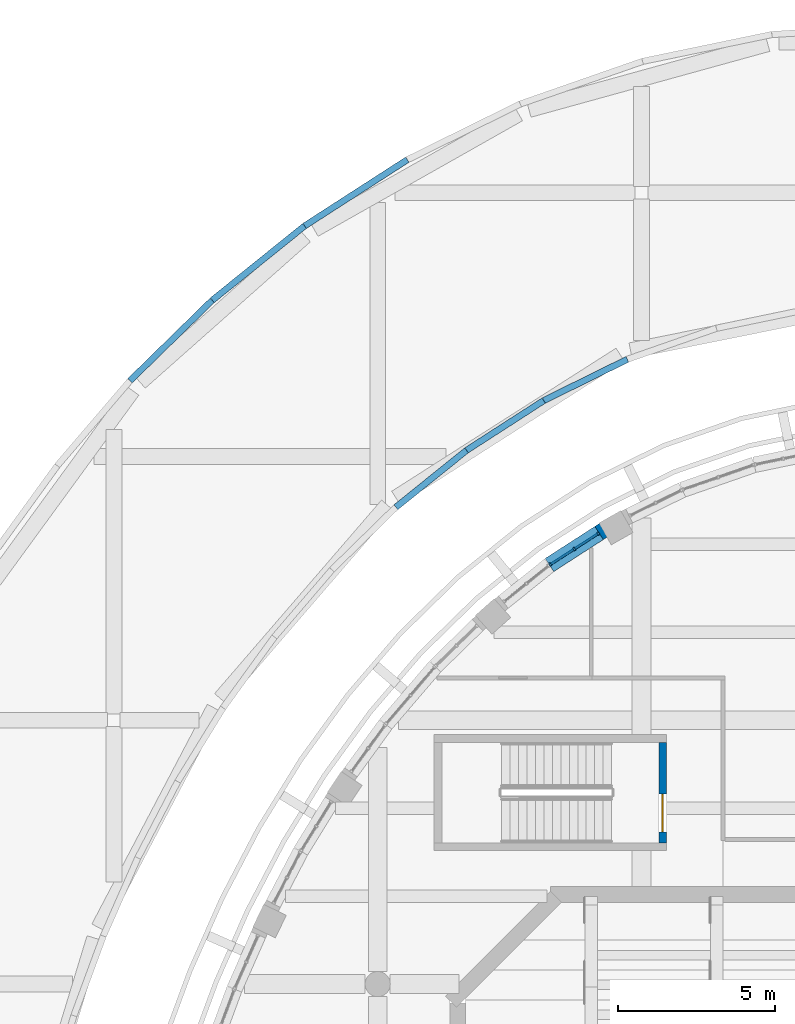
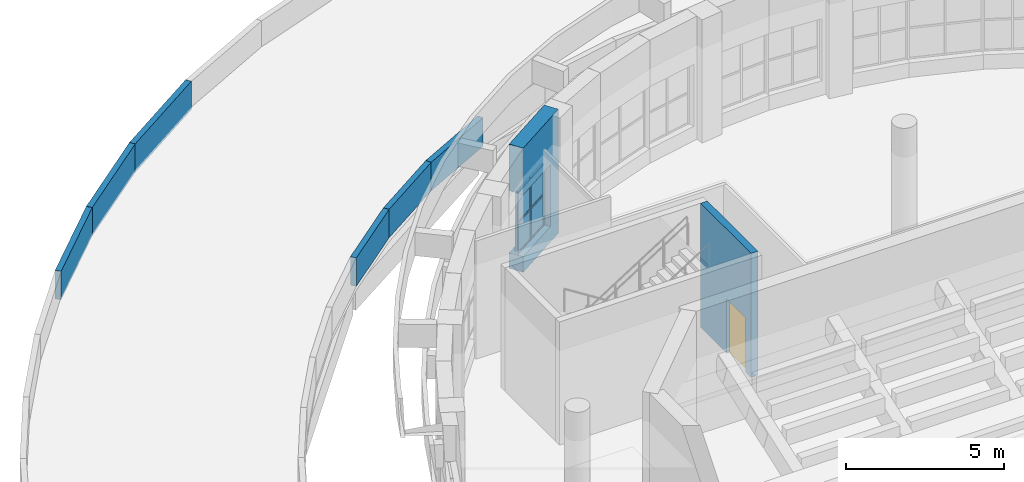
# One storey, part 31 of 79: 9 members, 8 walls, 4 plates, 1 door, 2 openings, 1 element without a shape of its own.
"""IFC4 building model written with IfcOpenShell, lengths in metres."""

from ifc_helpers import new_model, si_unit, direction, frame, frame_2d, origin, origin_2d, place, context, subcontext, project, spatial, rectangle, extrude, material, layer, layer_set, material_profile, profile_set, type_object, element, fill, aggregate, save


model = new_model("IFC4")

# Units and contexts
model_context = context("Model", 3, precision=1e-05, world=origin(), true_north=direction((0.0, 1.0)))
body_context = subcontext(model_context, "Body", "Model", "MODEL_VIEW")
ifc_project = project(units=[si_unit("LENGTHUNIT", "METRE"), si_unit("AREAUNIT", "SQUARE_METRE"), si_unit("VOLUMEUNIT", "CUBIC_METRE"), si_unit("PLANEANGLEUNIT", "RADIAN"), si_unit("MASSUNIT", "GRAM", prefix="KILO")], contexts=[model_context])

# Site, building, storey
site_placement = place(None, origin())
site = spatial("IfcSite", under=ifc_project, at=site_placement, CompositionType="ELEMENT")
building_placement = place(site_placement, origin())
building = spatial("IfcBuilding", under=site, at=building_placement, Name="Larchfold Concert Hall", CompositionType="ELEMENT")
storey_placement = place(building_placement, frame((0.0, 0.0, 14.39990234375)))
storey = spatial("IfcBuildingStorey", under=building, at=storey_placement, Name="L03", CompositionType="ELEMENT", Elevation=14.39990234375)

# Curtain wall, members, plates
ifc_material_1 = material(Name="Anodised graphite aluminium curtain wall", Category="aluminium")
ifc_layer_1 = layer(ifc_material_1, 0.10009765625)
ifc_layer_set_1 = layer_set([ifc_layer_1], Name="Anodised graphite aluminium curtain wall")
curtain_wall_type = type_object("IfcCurtainWallType", Name="Curtain wall GB", PredefinedType="NOTDEFINED", material=ifc_layer_set_1)
curtain_wall_placement = place(storey_placement, origin())
curtain_wall = element("IfcCurtainWall", 1, at=curtain_wall_placement, inside=storey, type_object=curtain_wall_type, Name="Curtain wall CW0024", PredefinedType="NOTDEFINED")
ifc_material_2 = material(Name="Anodised graphite aluminium mullion", Category="aluminium")
ifc_material_profile_1 = material_profile(ifc_material_2, rectangle(XDim=0.10009765625, YDim=0.06005859375, at=origin_2d()))
ifc_profile_set_1 = profile_set([ifc_material_profile_1], Name="Anodised graphite aluminium mullion")
member_type_1 = type_object("IfcMemberType", Name="Aluminium mullion 60x100", PredefinedType="MULLION", material=ifc_profile_set_1)
member_1_placement = place(storey_placement, frame((32.824951171875, 115.748046875, 0.60009765625), z_axis=(0.0, 0.0, 1.0), x_axis=(0.541792977535, -0.84051196868, 0.0)))
member_1 = element("IfcMember", 2, at=member_1_placement, type_object=member_type_1, Name="CW0024 mullion 1", PredefinedType="MULLION", context=body_context, shape_type="SweptSolid", body=[
    extrude(rectangle(XDim=0.10009765625, YDim=0.06005859375, at=origin_2d()), origin(), (0.0, 0.0, 1.0), 2.39990234375),
])
member_2_placement = place(storey_placement, frame((32.05908203125, 115.254638671875, 0.60009765625), z_axis=(0.0, 0.0, 1.0), x_axis=(0.541792977535, -0.84051196868, 0.0)))
member_2 = element("IfcMember", 3, at=member_2_placement, type_object=member_type_1, Name="CW0024 mullion 2", PredefinedType="MULLION", context=body_context, shape_type="SweptSolid", body=[
    extrude(rectangle(XDim=0.10009765625, YDim=0.06005859375, at=origin_2d()), origin(), (0.0, 0.0, 1.0), 2.39990234375),
])
member_3_placement = place(storey_placement, frame((31.293212890625, 114.760986328125, 0.60009765625), z_axis=(0.0, 0.0, 1.0), x_axis=(0.541792977535, -0.84051196868, 0.0)))
member_3 = element("IfcMember", 4, at=member_3_placement, type_object=member_type_1, Name="CW0024 mullion 3", PredefinedType="MULLION", context=body_context, shape_type="SweptSolid", body=[
    extrude(rectangle(XDim=0.10009765625, YDim=0.06005859375, at=origin_2d()), origin(), (0.0, 0.0, 1.0), 2.39990234375),
])
ifc_material_3 = material(Name="Anodised graphite aluminium transom", Category="aluminium")
ifc_material_profile_2 = material_profile(ifc_material_3, rectangle(XDim=0.080078125, YDim=0.06005859375, at=origin_2d()))
ifc_profile_set_2 = profile_set([ifc_material_profile_2], Name="Anodised graphite aluminium transom")
member_type_2 = type_object("IfcMemberType", Name="Aluminium transom 60x80", PredefinedType="USERDEFINED", material=ifc_profile_set_2)
member_4_placement = place(storey_placement, frame((32.799560546875, 115.73193359375, 0.630126953125), z_axis=(-0.840469431903, -0.541858961388, 0.0), x_axis=(0.541858961388, -0.840469431903, 0.0)))
member_4 = element("IfcMember", 5, at=member_4_placement, type_object=member_type_2, Name="CW0024 transom 1.1", ObjectType="TRANSOM", PredefinedType="USERDEFINED", context=body_context, shape_type="SweptSolid", body=[
    extrude(rectangle(XDim=0.080078125, YDim=0.06005859375, at=origin_2d()), origin(), (0.0, 0.0, 1.0), 0.85107421875),
])
member_5_placement = place(storey_placement, frame((32.799560546875, 115.73193359375, 1.800048828125), z_axis=(-0.840469431903, -0.541858961388, 0.0), x_axis=(0.541858961388, -0.840469431903, 0.0)))
member_5 = element("IfcMember", 6, at=member_5_placement, type_object=member_type_2, Name="CW0024 transom 1.2", ObjectType="TRANSOM", PredefinedType="USERDEFINED", context=body_context, shape_type="SweptSolid", body=[
    extrude(rectangle(XDim=0.080078125, YDim=0.06005859375, at=origin_2d()), origin(), (0.0, 0.0, 1.0), 0.85107421875),
])
member_6_placement = place(storey_placement, frame((32.799560546875, 115.73193359375, 2.969970703125), z_axis=(-0.840469431903, -0.541858961388, 0.0), x_axis=(0.541858961388, -0.840469431903, 0.0)))
member_6 = element("IfcMember", 7, at=member_6_placement, type_object=member_type_2, Name="CW0024 transom 1.3", ObjectType="TRANSOM", PredefinedType="USERDEFINED", context=body_context, shape_type="SweptSolid", body=[
    extrude(rectangle(XDim=0.080078125, YDim=0.06005859375, at=origin_2d()), origin(), (0.0, 0.0, 1.0), 0.85107421875),
])
member_7_placement = place(storey_placement, frame((32.033935546875, 115.23828125, 0.630126953125), z_axis=(-0.840469431903, -0.541858961388, 0.0), x_axis=(0.541858961388, -0.840469431903, 0.0)))
member_7 = element("IfcMember", 8, at=member_7_placement, type_object=member_type_2, Name="CW0024 transom 2.1", ObjectType="TRANSOM", PredefinedType="USERDEFINED", context=body_context, shape_type="SweptSolid", body=[
    extrude(rectangle(XDim=0.080078125, YDim=0.06005859375, at=origin_2d()), origin(), (0.0, 0.0, 1.0), 0.85107421875),
])
member_8_placement = place(storey_placement, frame((32.033935546875, 115.23828125, 1.800048828125), z_axis=(-0.840469431903, -0.541858961388, 0.0), x_axis=(0.541858961388, -0.840469431903, 0.0)))
member_8 = element("IfcMember", 9, at=member_8_placement, type_object=member_type_2, Name="CW0024 transom 2.2", ObjectType="TRANSOM", PredefinedType="USERDEFINED", context=body_context, shape_type="SweptSolid", body=[
    extrude(rectangle(XDim=0.080078125, YDim=0.06005859375, at=origin_2d()), origin(), (0.0, 0.0, 1.0), 0.85107421875),
])
member_9_placement = place(storey_placement, frame((32.033935546875, 115.23828125, 2.969970703125), z_axis=(-0.840469431903, -0.541858961388, 0.0), x_axis=(0.541858961388, -0.840469431903, 0.0)))
member_9 = element("IfcMember", 10, at=member_9_placement, type_object=member_type_2, Name="CW0024 transom 2.3", ObjectType="TRANSOM", PredefinedType="USERDEFINED", context=body_context, shape_type="SweptSolid", body=[
    extrude(rectangle(XDim=0.080078125, YDim=0.06005859375, at=origin_2d()), origin(), (0.0, 0.0, 1.0), 0.85107421875),
])
ifc_material_4 = material(Name="Insulated glazing unit, glass", Category="glass")
ifc_layer_2 = layer(ifc_material_4, 0.02392578125)
ifc_layer_set_2 = layer_set([ifc_layer_2], Name="Insulated glazing unit, glass")
plate_type_1 = type_object("IfcPlateType", Name="Glass panel 24", PredefinedType="CURTAIN_PANEL", material=ifc_layer_set_2)
plate_1_placement = place(storey_placement, frame((32.44189453125, 115.501220703125, 1.830078125), z_axis=(0.0, 0.0, 1.0), x_axis=(-0.84051196868, -0.541792977535, 0.0)))
plate_1 = element("IfcPlate", 11, at=plate_1_placement, type_object=plate_type_1, Name="CW0024 panel 1.2", PredefinedType="CURTAIN_PANEL", context=body_context, shape_type="SweptSolid", body=[
    extrude(rectangle(XDim=0.85107421875, YDim=0.02392578125, at=origin_2d()), origin(), (0.0, 0.0, 1.0), 1.10986328125),
])
plate_2_placement = place(storey_placement, frame((31.67626953125, 115.0078125, 1.830078125), z_axis=(0.0, 0.0, 1.0), x_axis=(-0.84051196868, -0.541792977535, 0.0)))
plate_2 = element("IfcPlate", 12, at=plate_2_placement, type_object=plate_type_1, Name="CW0024 panel 2.2", PredefinedType="CURTAIN_PANEL", context=body_context, shape_type="SweptSolid", body=[
    extrude(rectangle(XDim=0.85107421875, YDim=0.02392578125, at=origin_2d()), origin(), (0.0, 0.0, 1.0), 1.10986328125),
])
ifc_material_5 = material(Name="White insulated panel")
ifc_layer_3 = layer(ifc_material_5, 0.050048828125)
ifc_layer_set_3 = layer_set([ifc_layer_3], Name="White insulated panel")
plate_type_2 = type_object("IfcPlateType", Name="Insulated spandrel panel 50", PredefinedType="CURTAIN_PANEL", material=ifc_layer_set_3)
plate_3_placement = place(storey_placement, frame((32.44189453125, 115.501220703125, 0.66015625), z_axis=(0.0, 0.0, 1.0), x_axis=(-0.84051196868, -0.541792977535, 0.0)))
plate_3 = element("IfcPlate", 13, at=plate_3_placement, type_object=plate_type_2, Name="CW0024 panel 1.1", PredefinedType="CURTAIN_PANEL", context=body_context, shape_type="SweptSolid", body=[
    extrude(rectangle(XDim=0.85107421875, YDim=0.050048828125, at=origin_2d()), origin(), (0.0, 0.0, 1.0), 1.10986328125),
])
plate_4_placement = place(storey_placement, frame((31.67626953125, 115.0078125, 0.66015625), z_axis=(0.0, 0.0, 1.0), x_axis=(-0.84051196868, -0.541792977535, 0.0)))
plate_4 = element("IfcPlate", 14, at=plate_4_placement, type_object=plate_type_2, Name="CW0024 panel 2.1", PredefinedType="CURTAIN_PANEL", context=body_context, shape_type="SweptSolid", body=[
    extrude(rectangle(XDim=0.85107421875, YDim=0.050048828125, at=origin_2d()), origin(), (0.0, 0.0, 1.0), 1.10986328125),
])
aggregate(curtain_wall, [member_1, member_2, member_3, member_4, member_5, member_6, plate_3, plate_1, member_7, member_8, member_9, plate_4, plate_2])

# Walls
ifc_material_6 = material(Name="White render on insulated block")
ifc_layer_4 = layer(ifc_material_6, 0.199951171875)
ifc_layer_set_4 = layer_set([ifc_layer_4], Name="White render on insulated block")
wall_type_1 = type_object("IfcWallType", Name="Roof parapet 200", PredefinedType="PARAPET", material=ifc_layer_set_4)
wall_1_placement = place(storey_placement, frame((26.37841796875, 116.5849609375, 0.0), z_axis=(0.0, 0.0, 1.0), x_axis=(0.778926035427, 0.627115803767, 0.0)))
element("IfcWall", 15, at=wall_1_placement, inside=storey, type_object=wall_type_1, Name="Parapet PW0034", PredefinedType="PARAPET", context=body_context, shape_type="SweptSolid", body=[
    extrude(rectangle(XDim=2.88671875, YDim=0.199951171875, at=frame_2d((1.443359375, 0.0))), origin(), (0.0, 0.0, 1.0), 1.10009765625),
])
wall_2_placement = place(storey_placement, frame((28.626953125, 118.395263671875, 0.0), z_axis=(0.0, 0.0, 1.0), x_axis=(0.840386126189, 0.541988153846, 0.0)))
element("IfcWall", 16, at=wall_2_placement, inside=storey, type_object=wall_type_1, Name="Parapet PW0035", PredefinedType="PARAPET", context=body_context, shape_type="SweptSolid", body=[
    extrude(rectangle(XDim=2.926513671875, YDim=0.199951171875, at=frame_2d((1.46337890625, 0.0))), origin(), (0.0, 0.0, 1.0), 1.10009765625),
])
wall_3_placement = place(storey_placement, frame((31.08642578125, 119.9814453125, 0.0), z_axis=(0.0, 0.0, 1.0), x_axis=(0.896768012057, 0.442500997233, 0.0)))
element("IfcWall", 17, at=wall_3_placement, inside=storey, type_object=wall_type_1, Name="Parapet PW0036", PredefinedType="PARAPET", context=body_context, shape_type="SweptSolid", body=[
    extrude(rectangle(XDim=2.96728515625, YDim=0.199951171875, at=frame_2d((1.483642578125, 0.0))), origin(), (0.0, 0.0, 1.0), 1.10009765625),
])
wall_4_placement = place(storey_placement, frame((26.74169921875, 127.6513671875, 0.0), z_axis=(0.0, 0.0, 1.0), x_axis=(-0.840423793645, -0.541929743671, 0.0)))
element("IfcWall", 18, at=wall_4_placement, inside=storey, type_object=wall_type_1, Name="Parapet PW0047", PredefinedType="PARAPET", context=body_context, shape_type="SweptSolid", body=[
    extrude(rectangle(XDim=3.893310546875, YDim=0.199951171875, at=frame_2d((1.94677734375, 0.0))), origin(), (0.0, 0.0, 1.0), 1.10009765625),
])
wall_5_placement = place(storey_placement, frame((23.4697265625, 125.54150390625, 0.0), z_axis=(0.0, 0.0, 1.0), x_axis=(-0.778921524446, -0.627121406711, 0.0)))
element("IfcWall", 19, at=wall_5_placement, inside=storey, type_object=wall_type_1, Name="Parapet PW0048", PredefinedType="PARAPET", context=body_context, shape_type="SweptSolid", body=[
    extrude(rectangle(XDim=3.774658203125, YDim=0.199951171875, at=frame_2d((1.88720703125, 0.0))), origin(), (0.0, 0.0, 1.0), 1.10009765625),
])
wall_6_placement = place(storey_placement, frame((20.529541015625, 123.17431640625, 0.0), z_axis=(0.0, 0.0, 1.0), x_axis=(-0.714894863125, -0.699231960567, 0.0)))
element("IfcWall", 20, at=wall_6_placement, inside=storey, type_object=wall_type_1, Name="Parapet PW0049", PredefinedType="PARAPET", context=body_context, shape_type="SweptSolid", body=[
    extrude(rectangle(XDim=3.6630859375, YDim=0.199951171875, at=frame_2d((1.83154296875, 0.0))), origin(), (0.0, 0.0, 1.0), 1.10009765625),
])

# Wall, opening, door
ifc_material_7 = material(Name="Concrete C40/50", Category="concrete")
ifc_layer_5 = layer(ifc_material_7, 0.25)
ifc_layer_set_5 = layer_set([ifc_layer_5], Name="Concrete C40/50")
wall_type_2 = type_object("IfcWallType", Name="Wall RC 250 stair core", PredefinedType="SOLIDWALL", material=ifc_layer_set_5)
wall_7_placement = place(storey_placement, frame((34.875, 105.89990234375, 0.0), z_axis=(0.0, 0.0, 1.0), x_axis=(0.0, 1.0, 0.0)))
wall_7 = element("IfcWall", 21, at=wall_7_placement, inside=storey, type_object=wall_type_2, Name="Wall W0041", PredefinedType="SOLIDWALL", context=body_context, shape_type="SweptSolid", body=[
    extrude(rectangle(XDim=3.2001953125, YDim=0.25, at=frame_2d((1.60009765625, 0.0))), origin(), (0.0, 0.0, 1.0), 4.800048828125),
])
opening_1_placement = place(wall_7_placement, frame((0.35009765625, 0.0, 0.0)))
opening_1 = element("IfcOpeningElement", 22, at=opening_1_placement, cuts=wall_7, Name="Opening D-L03-135", PredefinedType="OPENING", context=body_context, shape_type="SweptSolid", body=[
    extrude(rectangle(XDim=1.199951171875, YDim=2.10009765625, at=frame_2d((0.60009765625, 1.050048828125))), frame((0.0, 0.135009765625, 0.0), z_axis=(0.0, -1.0, 0.0), x_axis=(1.0, 0.0, 0.0)), (0.0, 0.0, 1.0), 0.27001953125),
])
ifc_material_8 = material(Name="Timber door leaf", Category="wood")
door_type = type_object("IfcDoorType", Name="Stair enclosure door pair 1200 x 2100 FD60", OperationType="SINGLE_SWING_LEFT", PredefinedType="DOOR", material=ifc_material_8)
door_placement = place(opening_1_placement, origin())
door = element("IfcDoor", 23, at=door_placement, inside=storey, type_object=door_type, Name="Door D-L03-135", OperationType="DOUBLE_DOOR_SINGLE_SWING", OverallHeight=2.10009765625, OverallWidth=1.199951171875, PredefinedType="DOOR", context=body_context, shape_type="SweptSolid", body=[
    extrude(rectangle(XDim=1.199951171875, YDim=2.10009765625, at=frame_2d((0.60009765625, 1.050048828125))), frame((0.0, 0.02490234375, 0.0), z_axis=(0.0, -1.0, 0.0), x_axis=(1.0, 0.0, 0.0)), (0.0, 0.0, 1.0), 0.050048828125),
])
fill(opening_1, door)

# Wall, opening
ifc_material_9 = material(Name="Concrete C30/37", Category="concrete")
ifc_layer_6 = layer(ifc_material_9, 0.5)
ifc_layer_set_6 = layer_set([ifc_layer_6], Name="Concrete C30/37")
wall_type_3 = type_object("IfcWallType", Name="Wall RC 500 drum facade", PredefinedType="SOLIDWALL", material=ifc_layer_set_6)
wall_8_placement = place(storey_placement, frame((33.31298828125, 116.062744140625, 0.0), z_axis=(0.0, 0.0, 1.0), x_axis=(-0.840519246372, -0.541781687101, 0.0)))
wall_8 = element("IfcWall", 24, at=wall_8_placement, inside=storey, type_object=wall_type_3, Name="Wall DW024", PredefinedType="SOLIDWALL", context=body_context, shape_type="SweptSolid", body=[
    extrude(rectangle(XDim=2.432861328125, YDim=0.5, at=frame_2d((1.21630859375, 0.0))), origin(), (0.0, 0.0, 1.0), 4.800048828125),
])
opening_2_placement = place(wall_8_placement, frame((0.55078125, 0.0, 0.60009765625)))
opening_2 = element("IfcOpeningElement", 25, at=opening_2_placement, cuts=wall_8, Name="Opening CW0024", PredefinedType="OPENING", context=body_context, shape_type="SweptSolid", body=[
    extrude(rectangle(XDim=1.88232421875, YDim=2.39990234375, at=frame_2d((0.941162109375, 1.199951171875))), frame((0.0, 0.260009765625, 0.0), z_axis=(0.0, -1.0, 0.0), x_axis=(1.0, 0.0, 0.0)), (0.0, 0.0, 1.0), 0.52001953125),
])

fill(opening_2, curtain_wall)

save(model, "model.ifc")
